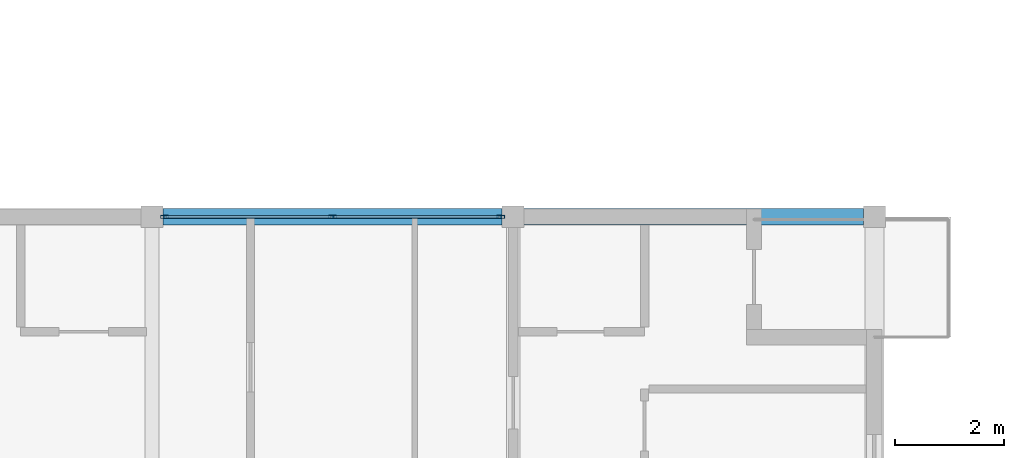
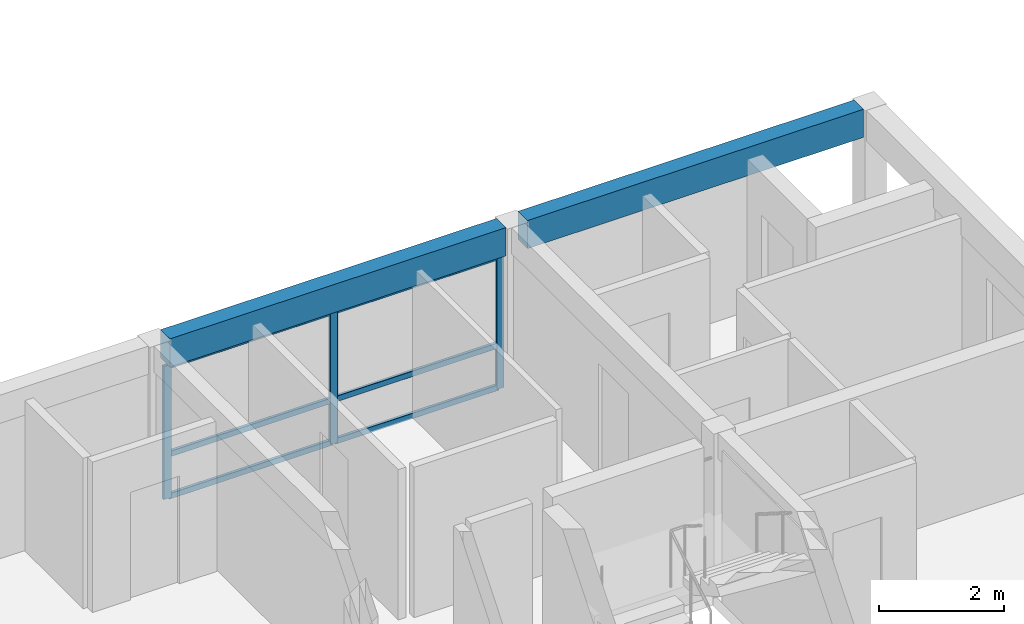
# One storey, part 7 of 34: 9 members, 2 beams, 1 element without a shape of its own.
"""IFC4 building model written with IfcOpenShell, lengths in metres."""

from ifc_helpers import new_model, si_unit, direction, frame, origin, origin_2d, place, context, subcontext, project, spatial, rectangle, hollow_rectangle, extrude, material, material_profile, profile_set, type_object, element, aggregate, save


model = new_model("IFC4")

# Units and contexts
model_context = context("Model", 3, precision=1e-05, world=origin(), true_north=direction((0.0, 1.0)))
body_context = subcontext(model_context, "Body", "Model", "MODEL_VIEW")
ifc_project = project(units=[si_unit("LENGTHUNIT", "METRE"), si_unit("AREAUNIT", "SQUARE_METRE"), si_unit("VOLUMEUNIT", "CUBIC_METRE"), si_unit("PLANEANGLEUNIT", "RADIAN"), si_unit("MASSUNIT", "GRAM", prefix="KILO")], contexts=[model_context])

# Site, building, storey
site_placement = place(None, origin())
site = spatial("IfcSite", under=ifc_project, at=site_placement, CompositionType="ELEMENT")
building_placement = place(site_placement, origin())
building = spatial("IfcBuilding", under=site, at=building_placement, Name="Kernevlak Ridge Housing Community", CompositionType="ELEMENT")
storey_placement = place(building_placement, frame((0.0, 0.0, 34.0)))
storey = spatial("IfcBuildingStorey", under=building, at=storey_placement, Name="L10", CompositionType="ELEMENT", Elevation=34.0)

# Curtain wall, members
ifc_material_1 = material(Name="Aluminium EN AW-6060 anodised and laminated glass", Category="aluminium")
curtain_wall_type = type_object("IfcCurtainWallType", Name="CW-02", PredefinedType="NOTDEFINED", material=ifc_material_1)
curtain_wall_placement = place(storey_placement, origin())
curtain_wall = element("IfcCurtainWall", 1, at=curtain_wall_placement, inside=storey, type_object=curtain_wall_type, Name="Curtain wall CW-02 CW-L10-132", PredefinedType="NOTDEFINED")
ifc_material_2 = material(Name="Aluminium EN AW-6060 anodised", Category="aluminium")
ifc_material_profile_1 = material_profile(ifc_material_2, hollow_rectangle(XDim=0.054931640625, YDim=0.139892578125, WallThickness=0.00390625, InnerFilletRadius=0.001953125, OuterFilletRadius=0.00390625, at=origin_2d()), Name="ALU 55x140x4")
ifc_profile_set_1 = profile_set([ifc_material_profile_1], Name="Aluminium EN AW-6060 anodised")
member_type_1 = type_object("IfcMemberType", Name="MU-01", PredefinedType="MULLION", material=ifc_profile_set_1)
member_1_placement = place(storey_placement, frame((132.827392578125, 42.0, 0.0), z_axis=(0.0, 0.0, 1.0), x_axis=(0.0, 1.0, 0.0)))
member_1 = element("IfcMember", 2, at=member_1_placement, type_object=member_type_1, Name="CW-02 mullion 1", PredefinedType="MULLION", context=body_context, shape_type="SweptSolid", body=[
    extrude(hollow_rectangle(XDim=0.054931640625, YDim=0.139892578125, WallThickness=0.00390625, InnerFilletRadius=0.001953125, OuterFilletRadius=0.00390625, at=origin_2d()), origin(), (0.0, 0.0, 1.0), 2.60009765625),
])
member_2_placement = place(storey_placement, frame((135.89990234375, 42.0, 0.0), z_axis=(0.0, 0.0, 1.0), x_axis=(0.0, 1.0, 0.0)))
member_2 = element("IfcMember", 3, at=member_2_placement, type_object=member_type_1, Name="CW-02 mullion 2", PredefinedType="MULLION", context=body_context, shape_type="SweptSolid", body=[
    extrude(hollow_rectangle(XDim=0.054931640625, YDim=0.139892578125, WallThickness=0.00390625, InnerFilletRadius=0.001953125, OuterFilletRadius=0.00390625, at=origin_2d()), origin(), (0.0, 0.0, 1.0), 2.60009765625),
])
member_3_placement = place(storey_placement, frame((138.972412109375, 42.0, 0.0), z_axis=(0.0, 0.0, 1.0), x_axis=(0.0, 1.0, 0.0)))
member_3 = element("IfcMember", 4, at=member_3_placement, type_object=member_type_1, Name="CW-02 mullion 3", PredefinedType="MULLION", context=body_context, shape_type="SweptSolid", body=[
    extrude(hollow_rectangle(XDim=0.054931640625, YDim=0.139892578125, WallThickness=0.00390625, InnerFilletRadius=0.001953125, OuterFilletRadius=0.00390625, at=origin_2d()), origin(), (0.0, 0.0, 1.0), 2.60009765625),
])

# Beams
ifc_material_3 = material(Name="Concrete C35/45", Category="concrete")
ifc_material_profile_2 = material_profile(ifc_material_3, rectangle(XDim=0.300048828125, YDim=0.550048828125, at=origin_2d()), Name="RC 300x550")
ifc_profile_set_2 = profile_set([ifc_material_profile_2], Name="Concrete C35/45")
beam_type = type_object("IfcBeamType", Name="SP-01", PredefinedType="SPANDREL", material=ifc_profile_set_2)
beam_1_placement = place(storey_placement, frame((132.800048828125, 42.0, 2.925048828125), z_axis=(1.0, 0.0, 0.0), x_axis=(0.0, 1.0, 0.0)))
element("IfcBeam", 5, at=beam_1_placement, inside=storey, type_object=beam_type, Name="Beam SP-01 L10 1242", PredefinedType="SPANDREL", context=body_context, shape_type="SweptSolid", body=[
    extrude(rectangle(XDim=0.300048828125, YDim=0.550048828125, at=origin_2d()), origin(), (0.0, 0.0, 1.0), 6.199951171875),
])
beam_2_placement = place(storey_placement, frame((139.39990234375, 42.0, 2.925048828125), z_axis=(1.0, 0.0, 0.0), x_axis=(0.0, 1.0, 0.0)))
element("IfcBeam", 6, at=beam_2_placement, inside=storey, type_object=beam_type, Name="Beam SP-01 L10 1243", PredefinedType="SPANDREL", context=body_context, shape_type="SweptSolid", body=[
    extrude(rectangle(XDim=0.300048828125, YDim=0.550048828125, at=origin_2d()), origin(), (0.0, 0.0, 1.0), 6.2001953125),
])

# Member
ifc_material_profile_3 = material_profile(ifc_material_2, hollow_rectangle(XDim=0.054931640625, YDim=0.110107421875, WallThickness=0.00390625, InnerFilletRadius=0.001953125, OuterFilletRadius=0.00390625, at=origin_2d()), Name="ALU 55x110x4")
ifc_profile_set_3 = profile_set([ifc_material_profile_3], Name="Aluminium EN AW-6060 anodised")
member_type_2 = type_object("IfcMemberType", Name="TM-01", PredefinedType="USERDEFINED", material=ifc_profile_set_3)
member_4_placement = place(storey_placement, frame((132.85498046875, 42.0, 0.027587890625), z_axis=(1.0, 0.0, 0.0), x_axis=(0.0, 1.0, 0.0)))
member_4 = element("IfcMember", 7, at=member_4_placement, type_object=member_type_2, Name="CW-02 transom 1.1", ObjectType="TRANSOM", PredefinedType="USERDEFINED", context=body_context, shape_type="SweptSolid", body=[
    extrude(hollow_rectangle(XDim=0.054931640625, YDim=0.110107421875, WallThickness=0.00390625, InnerFilletRadius=0.001953125, OuterFilletRadius=0.00390625, at=origin_2d()), origin(), (0.0, 0.0, 1.0), 3.017578125),
])

member_5_placement = place(storey_placement, frame((132.85498046875, 42.0, 0.85009765625), z_axis=(1.0, 0.0, 0.0), x_axis=(0.0, 1.0, 0.0)))
member_5 = element("IfcMember", 8, at=member_5_placement, type_object=member_type_2, Name="CW-02 transom 1.2", ObjectType="TRANSOM", PredefinedType="USERDEFINED", context=body_context, shape_type="SweptSolid", body=[
    extrude(hollow_rectangle(XDim=0.054931640625, YDim=0.110107421875, WallThickness=0.00390625, InnerFilletRadius=0.001953125, OuterFilletRadius=0.00390625, at=origin_2d()), origin(), (0.0, 0.0, 1.0), 3.017578125),
])

member_6_placement = place(storey_placement, frame((132.85498046875, 42.0, 2.572509765625), z_axis=(1.0, 0.0, 0.0), x_axis=(0.0, 1.0, 0.0)))
member_6 = element("IfcMember", 9, at=member_6_placement, type_object=member_type_2, Name="CW-02 transom 1.3", ObjectType="TRANSOM", PredefinedType="USERDEFINED", context=body_context, shape_type="SweptSolid", body=[
    extrude(hollow_rectangle(XDim=0.054931640625, YDim=0.110107421875, WallThickness=0.00390625, InnerFilletRadius=0.001953125, OuterFilletRadius=0.00390625, at=origin_2d()), origin(), (0.0, 0.0, 1.0), 3.017578125),
])

member_7_placement = place(storey_placement, frame((135.927490234375, 42.0, 0.027587890625), z_axis=(1.0, 0.0, 0.0), x_axis=(0.0, 1.0, 0.0)))
member_7 = element("IfcMember", 10, at=member_7_placement, type_object=member_type_2, Name="CW-02 transom 2.1", ObjectType="TRANSOM", PredefinedType="USERDEFINED", context=body_context, shape_type="SweptSolid", body=[
    extrude(hollow_rectangle(XDim=0.054931640625, YDim=0.110107421875, WallThickness=0.00390625, InnerFilletRadius=0.001953125, OuterFilletRadius=0.00390625, at=origin_2d()), origin(), (0.0, 0.0, 1.0), 3.017578125),
])

member_8_placement = place(storey_placement, frame((135.927490234375, 42.0, 0.85009765625), z_axis=(1.0, 0.0, 0.0), x_axis=(0.0, 1.0, 0.0)))
member_8 = element("IfcMember", 11, at=member_8_placement, type_object=member_type_2, Name="CW-02 transom 2.2", ObjectType="TRANSOM", PredefinedType="USERDEFINED", context=body_context, shape_type="SweptSolid", body=[
    extrude(hollow_rectangle(XDim=0.054931640625, YDim=0.110107421875, WallThickness=0.00390625, InnerFilletRadius=0.001953125, OuterFilletRadius=0.00390625, at=origin_2d()), origin(), (0.0, 0.0, 1.0), 3.017578125),
])

member_9_placement = place(storey_placement, frame((135.927490234375, 42.0, 2.572509765625), z_axis=(1.0, 0.0, 0.0), x_axis=(0.0, 1.0, 0.0)))
member_9 = element("IfcMember", 12, at=member_9_placement, type_object=member_type_2, Name="CW-02 transom 2.3", ObjectType="TRANSOM", PredefinedType="USERDEFINED", context=body_context, shape_type="SweptSolid", body=[
    extrude(hollow_rectangle(XDim=0.054931640625, YDim=0.110107421875, WallThickness=0.00390625, InnerFilletRadius=0.001953125, OuterFilletRadius=0.00390625, at=origin_2d()), origin(), (0.0, 0.0, 1.0), 3.017578125),
])

aggregate(curtain_wall, [member_1, member_2, member_3, member_4, member_5, member_6, member_7, member_8, member_9])

save(model, "model.ifc")
